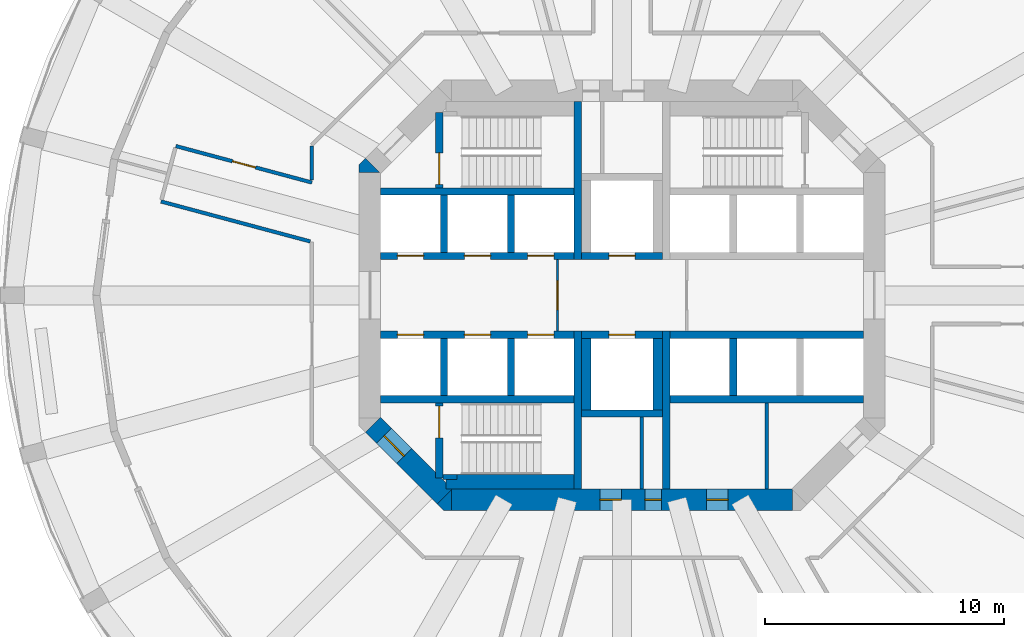
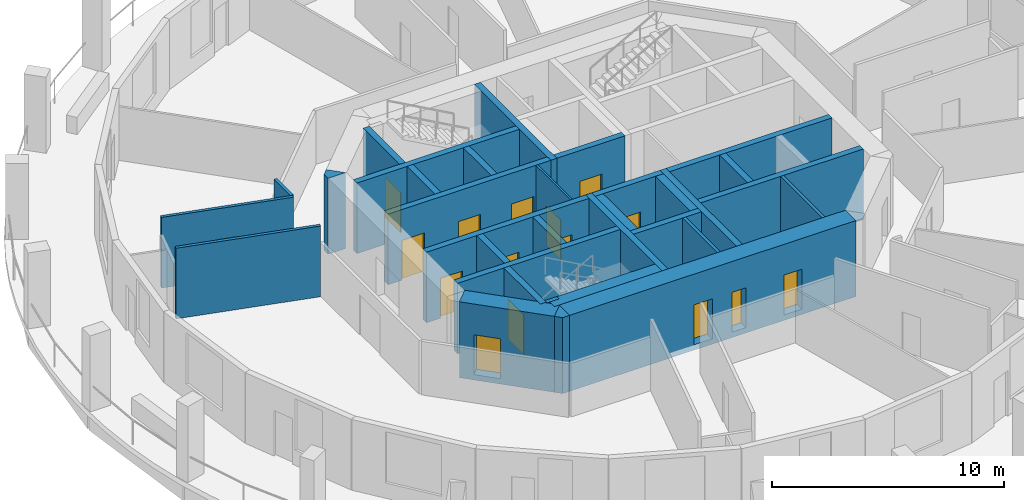
# One storey, part 3 of 8: 33 walls, 16 doors, 16 openings.
"""IFC4 building model written with IfcOpenShell, lengths in metres."""

from ifc_helpers import new_model, si_unit, direction, frame, frame_2d, origin, place, context, subcontext, project, spatial, polyline, rectangle, outline, extrude, material, layer, layer_set, type_object, element, fill, save


model = new_model("IFC4")

# Units and contexts
model_context = context("Model", 3, precision=1e-05, world=origin(), true_north=direction((0.0, 1.0)))
body_context = subcontext(model_context, "Body", "Model", "MODEL_VIEW")
ifc_project = project(units=[si_unit("LENGTHUNIT", "METRE"), si_unit("AREAUNIT", "SQUARE_METRE"), si_unit("VOLUMEUNIT", "CUBIC_METRE"), si_unit("PLANEANGLEUNIT", "RADIAN"), si_unit("MASSUNIT", "GRAM", prefix="KILO")], contexts=[model_context])

# Site, building, storey
site_placement = place(None, origin())
site = spatial("IfcSite", under=ifc_project, at=site_placement, CompositionType="ELEMENT")
building_placement = place(site_placement, origin())
building = spatial("IfcBuilding", under=site, at=building_placement, Name="Torre Triforio", CompositionType="ELEMENT")
storey_placement = place(building_placement, frame((0.0, 0.0, 90.60009765625)))
storey = spatial("IfcBuildingStorey", under=building, at=storey_placement, Name="L19", CompositionType="ELEMENT", Elevation=90.60009765625)

# Walls
ifc_material_1 = material(Name="Concrete C60", Category="concrete")
ifc_layer_1 = layer(ifc_material_1, 0.300048828125)
ifc_layer_set_1 = layer_set([ifc_layer_1], Name="Concrete C60")
wall_type_1 = type_object("IfcWallType", Name="Core wall 300 mm C60 EI 120", PredefinedType="SHEAR", material=ifc_layer_set_1)
for number, where, z_axis, x_axis, name in (
    (1, (-1.85009765625, 1.5, 0.0), (0.0, 0.0, 1.0), (0.0, 1.0, 0.0), "Core wall"),
    (2, (-1.85009765625, -8.10009765625, 0.0), (0.0, 0.0, 1.0), (0.0, 1.0, 0.0), "Core wall"),
    (3, (1.85009765625, -8.10009765625, 0.0), (0.0, 0.0, 1.0), (0.0, 1.0, 0.0), "Core wall"),
):
    element("IfcWall", number, at=place(storey_placement, frame(where, z_axis=z_axis, x_axis=x_axis)), inside=storey, type_object=wall_type_1, Name=name, PredefinedType="SHEAR", context=body_context, shape_type="SweptSolid", body=[
        extrude(rectangle(XDim=6.60009765625, YDim=0.300048828125, at=frame_2d((3.300048828125, 0.0))), origin(), (0.0, 0.0, 1.0), 3.719970703125),
    ])

# Wall, openings, doors
ifc_layer_2 = layer(ifc_material_1, 0.89990234375)
ifc_layer_set_2 = layer_set([ifc_layer_2], Name="Concrete C60")
wall_type_2 = type_object("IfcWallType", Name="Core wall 900 mm C60 EI 120", PredefinedType="SHEAR", material=ifc_layer_set_2)
wall_1_placement = place(storey_placement, frame((-7.1298828125, -8.550048828125, -0.280029296875), z_axis=(0.0, 0.0, 1.0), x_axis=(1.0, 0.0, 0.0)))
wall_1 = element("IfcWall", 4, at=wall_1_placement, inside=storey, type_object=wall_type_2, Name="Core wall", PredefinedType="SHEAR", context=body_context, shape_type="SweptSolid", body=[
    extrude(rectangle(XDim=14.259765625, YDim=0.89990234375, at=frame_2d((7.1298828125, 0.0))), origin(), (0.0, 0.0, 1.0), 4.0),
])
opening_1_placement = place(wall_1_placement, frame((8.080078125, 0.0, 0.280029296875)))
opening_1 = element("IfcOpeningElement", 5, at=opening_1_placement, cuts=wall_1, Name="Opening RISER-S", PredefinedType="OPENING", context=body_context, shape_type="SweptSolid", body=[
    extrude(rectangle(XDim=0.699951171875, YDim=2.10009765625, at=frame_2d((0.35009765625, 1.050048828125))), frame((0.0, 0.4599609375, 0.0), z_axis=(0.0, -1.0, 0.0), x_axis=(1.0, 0.0, 0.0)), (0.0, 0.0, 1.0), 0.919921875),
])
opening_2_placement = place(wall_1_placement, frame((6.205078125, 0.0, 0.280029296875)))
opening_2 = element("IfcOpeningElement", 6, at=opening_2_placement, cuts=wall_1, Name="Opening SW-01B", PredefinedType="OPENING", context=body_context, shape_type="SweptSolid", body=[
    extrude(rectangle(XDim=0.89990234375, YDim=2.10009765625, at=frame_2d((0.449951171875, 1.050048828125))), frame((0.0, 0.4599609375, 0.0), z_axis=(0.0, -1.0, 0.0), x_axis=(1.0, 0.0, 0.0)), (0.0, 0.0, 1.0), 0.919921875),
])
opening_3_placement = place(wall_1_placement, frame((10.66748046875, 0.0, 0.280029296875)))
opening_3 = element("IfcOpeningElement", 7, at=opening_3_placement, cuts=wall_1, Name="Opening SE-01A", PredefinedType="OPENING", context=body_context, shape_type="SweptSolid", body=[
    extrude(rectangle(XDim=0.89990234375, YDim=2.10009765625, at=frame_2d((0.449951171875, 1.050048828125))), frame((0.0, 0.4599609375, 0.0), z_axis=(0.0, -1.0, 0.0), x_axis=(1.0, 0.0, 0.0)), (0.0, 0.0, 1.0), 0.919921875),
])
ifc_material_2 = material(Name="Hollow metal fire door leaf")
door_type_1 = type_object("IfcDoorType", Name="Riser door 700 x 2100 EI 60", OperationType="NOTDEFINED", PredefinedType="DOOR", material=ifc_material_2)
door_1_placement = place(opening_1_placement, origin())
door_1 = element("IfcDoor", 8, at=door_1_placement, inside=storey, type_object=door_type_1, Name="Core door RISER-S", OperationType="SINGLE_SWING_RIGHT", OverallHeight=2.10009765625, OverallWidth=0.699951171875, PredefinedType="DOOR", context=body_context, shape_type="SweptSolid", body=[
    extrude(rectangle(XDim=0.699951171875, YDim=2.10009765625, at=frame_2d((0.35009765625, 1.050048828125))), frame((0.0, 0.02490234375, 0.0), z_axis=(0.0, -1.0, 0.0), x_axis=(1.0, 0.0, 0.0)), (0.0, 0.0, 1.0), 0.050048828125),
])
fill(opening_1, door_1)
door_type_2 = type_object("IfcDoorType", Name="Room door 900 x 2100 EI 60", OperationType="NOTDEFINED", PredefinedType="DOOR", material=ifc_material_2)
door_2_placement = place(opening_2_placement, origin())
door_2 = element("IfcDoor", 9, at=door_2_placement, inside=storey, type_object=door_type_2, Name="Core door SW-01", OperationType="SINGLE_SWING_LEFT", OverallHeight=2.10009765625, OverallWidth=0.89990234375, PredefinedType="DOOR", context=body_context, shape_type="SweptSolid", body=[
    extrude(rectangle(XDim=0.89990234375, YDim=2.10009765625, at=frame_2d((0.449951171875, 1.050048828125))), frame((0.0, 0.02490234375, 0.0), z_axis=(0.0, -1.0, 0.0), x_axis=(1.0, 0.0, 0.0)), (0.0, 0.0, 1.0), 0.050048828125),
])
fill(opening_2, door_2)
door_3_placement = place(opening_3_placement, origin())
door_3 = element("IfcDoor", 10, at=door_3_placement, inside=storey, type_object=door_type_2, Name="Core door SE-01", OperationType="SINGLE_SWING_LEFT", OverallHeight=2.10009765625, OverallWidth=0.89990234375, PredefinedType="DOOR", context=body_context, shape_type="SweptSolid", body=[
    extrude(rectangle(XDim=0.89990234375, YDim=2.10009765625, at=frame_2d((0.449951171875, 1.050048828125))), frame((0.0, 0.02490234375, 0.0), z_axis=(0.0, -1.0, 0.0), x_axis=(1.0, 0.0, 0.0)), (0.0, 0.0, 1.0), 0.050048828125),
])
fill(opening_3, door_3)

# Wall, opening, door
wall_2_placement = place(storey_placement, frame((-7.418212890625, -8.418212890625, -0.280029296875), z_axis=(0.0, 0.0, 1.0), x_axis=(-0.707106781187, 0.707106781187, 0.0)))
wall_2 = element("IfcWall", 11, at=wall_2_placement, inside=storey, type_object=wall_type_2, Name="Core wall", PredefinedType="SHEAR", context=body_context, shape_type="SweptSolid", body=[
    extrude(rectangle(XDim=4.24267578125, YDim=0.89990234375, at=frame_2d((2.121337890625, 0.0))), origin(), (0.0, 0.0, 1.0), 4.0),
])
opening_4_placement = place(wall_2_placement, frame((2.392578125, 0.0, 0.280029296875)))
opening_4 = element("IfcOpeningElement", 12, at=opening_4_placement, cuts=wall_2, Name="Opening ST3-EXIT", PredefinedType="OPENING", context=body_context, shape_type="SweptSolid", body=[
    extrude(rectangle(XDim=1.199951171875, YDim=2.10009765625, at=frame_2d((0.60009765625, 1.050048828125))), frame((0.0, 0.4599609375, 0.0), z_axis=(0.0, -1.0, 0.0), x_axis=(1.0, 0.0, 0.0)), (0.0, 0.0, 1.0), 0.919921875),
])
door_type_3 = type_object("IfcDoorType", Name="Stair lobby door 1200 x 2100 EI 60", OperationType="NOTDEFINED", PredefinedType="DOOR", material=ifc_material_2)
door_4_placement = place(opening_4_placement, origin())
door_4 = element("IfcDoor", 13, at=door_4_placement, inside=storey, type_object=door_type_3, Name="Core door ST3-EXIT", OperationType="SINGLE_SWING_RIGHT", OverallHeight=2.10009765625, OverallWidth=1.199951171875, PredefinedType="DOOR", context=body_context, shape_type="SweptSolid", body=[
    extrude(rectangle(XDim=1.199951171875, YDim=2.10009765625, at=frame_2d((0.60009765625, 1.050048828125))), frame((0.0, 0.02490234375, 0.0), z_axis=(0.0, -1.0, 0.0), x_axis=(1.0, 0.0, 0.0)), (0.0, 0.0, 1.0), 0.050048828125),
])
fill(opening_4, door_4)

# Walls
wall_3_placement = place(storey_placement, frame((0.0, 0.0, -0.280029296875)))
element("IfcWall", 14, at=wall_3_placement, inside=storey, type_object=wall_type_2, Name="Core wall", PredefinedType="SHEAR", context=body_context, shape_type="SweptSolid", body=[
    extrude(outline(polyline([(-7.472900390625, -9.0), (-7.736328125, -8.736328125), (-7.1298828125, -8.1298828125), (-7.1298828125, -9.0), (-7.472900390625, -9.0)])), origin(), (0.0, 0.0, 1.0), 4.0),
])
wall_4_placement = place(storey_placement, frame((0.0, 0.0, -0.280029296875)))
element("IfcWall", 15, at=wall_4_placement, inside=storey, type_object=wall_type_2, Name="Core wall", PredefinedType="SHEAR", context=body_context, shape_type="SweptSolid", body=[
    extrude(outline(polyline([(-10.736328125, 5.736328125), (-10.1298828125, 5.1298828125), (-11.0, 5.1298828125), (-11.0, 5.472900390625), (-10.736328125, 5.736328125)])), origin(), (0.0, 0.0, 1.0), 4.0),
])
ifc_material_3 = material(Name="Plasterboard on metal studs")
ifc_layer_3 = layer(ifc_material_3, 0.14990234375)
ifc_layer_set_3 = layer_set([ifc_layer_3], Name="Plasterboard on metal studs")
wall_type_3 = type_object("IfcWallType", Name="Corridor and tenancy wall 150 mm EI 60", PredefinedType="PARTITIONING", material=ifc_layer_set_3)
wall_5_placement = place(storey_placement, frame((-13.044921875, 2.253173828125, 0.0), z_axis=(0.0, 0.0, 1.0), x_axis=(-0.965934061797, 0.258788307811, 0.0)))
element("IfcWall", 16, at=wall_5_placement, inside=storey, type_object=wall_type_3, Name="Partition 15", PredefinedType="PARTITIONING", context=body_context, shape_type="SweptSolid", body=[
    extrude(rectangle(XDim=6.465087890625, YDim=0.14990234375, at=frame_2d((3.232421875, 0.0))), origin(), (0.0, 0.0, 1.0), 3.719970703125),
])

# Wall, opening, door
wall_6_placement = place(storey_placement, frame((-18.668701171875, 6.24462890625, 0.0), z_axis=(0.0, 0.0, 1.0), x_axis=(0.965924201797, -0.258825107715, 0.0)))
wall_6 = element("IfcWall", 17, at=wall_6_placement, inside=storey, type_object=wall_type_3, Name="Partition 17", PredefinedType="PARTITIONING", context=body_context, shape_type="SweptSolid", body=[
    extrude(rectangle(XDim=5.89453125, YDim=0.14990234375, at=frame_2d((2.947265625, 0.0))), origin(), (0.0, 0.0, 1.0), 3.719970703125),
])
opening_5_placement = place(wall_6_placement, frame((2.447265625, 0.0, 0.0)))
opening_5 = element("IfcOpeningElement", 18, at=opening_5_placement, cuts=wall_6, Name="Opening N6-05", PredefinedType="OPENING", context=body_context, shape_type="SweptSolid", body=[
    extrude(rectangle(XDim=1.0, YDim=2.10009765625, at=frame_2d((0.5, 1.050048828125))), frame((0.0, 0.0849609375, 0.0), z_axis=(0.0, -1.0, 0.0), x_axis=(1.0, 0.0, 0.0)), (0.0, 0.0, 1.0), 0.169921875),
])
ifc_material_4 = material(Name="Timber", Category="wood")
door_type_4 = type_object("IfcDoorType", Name="Door 1000 x 2100 single leaf EI 30", OperationType="NOTDEFINED", PredefinedType="DOOR", material=ifc_material_4)
door_5_placement = place(opening_5_placement, origin())
door_5 = element("IfcDoor", 19, at=door_5_placement, inside=storey, type_object=door_type_4, Name="Door N6-05", OperationType="SINGLE_SWING_RIGHT", OverallHeight=2.10009765625, OverallWidth=1.0, PredefinedType="DOOR", context=body_context, shape_type="SweptSolid", body=[
    extrude(rectangle(XDim=1.0, YDim=2.10009765625, at=frame_2d((0.5, 1.050048828125))), frame((0.0, 0.02490234375, 0.0), z_axis=(0.0, -1.0, 0.0), x_axis=(1.0, 0.0, 0.0)), (0.0, 0.0, 1.0), 0.050048828125),
])
fill(opening_5, door_5)

# Wall
wall_7_placement = place(storey_placement, frame((-12.97509765625, 4.81640625, 0.0), z_axis=(0.0, 0.0, 1.0), x_axis=(0.0, 1.0, 0.0)))
element("IfcWall", 20, at=wall_7_placement, inside=storey, type_object=wall_type_3, Name="Partition 18", PredefinedType="PARTITIONING", context=body_context, shape_type="SweptSolid", body=[
    extrude(rectangle(XDim=1.421875, YDim=0.14990234375, at=frame_2d((0.7109375, 0.0))), origin(), (0.0, 0.0, 1.0), 3.719970703125),
])

# Wall, opening, door
ifc_material_5 = material(Name="Block and board partition")
ifc_layer_4 = layer(ifc_material_5, 0.10009765625)
ifc_layer_set_4 = layer_set([ifc_layer_4], Name="Block and board partition")
wall_type_4 = type_object("IfcWallType", Name="Partition 100 mm EI 120", PredefinedType="PARTITIONING", material=ifc_layer_set_4)
wall_8_placement = place(storey_placement, frame((-2.699951171875, -1.5, 0.0), z_axis=(0.0, 0.0, 1.0), x_axis=(0.0, 1.0, 0.0)))
wall_8 = element("IfcWall", 21, at=wall_8_placement, inside=storey, type_object=wall_type_4, Name="Partition", PredefinedType="PARTITIONING", context=body_context, shape_type="SweptSolid", body=[
    extrude(rectangle(XDim=3.0, YDim=0.10009765625, at=frame_2d((1.5, 0.0))), origin(), (0.0, 0.0, 1.0), 3.719970703125),
])
opening_6_placement = place(wall_8_placement, frame((0.89990234375, 0.0, 0.0)))
opening_6 = element("IfcOpeningElement", 22, at=opening_6_placement, cuts=wall_8, Name="Opening FF-W", PredefinedType="OPENING", context=body_context, shape_type="SweptSolid", body=[
    extrude(rectangle(XDim=1.199951171875, YDim=2.10009765625, at=frame_2d((0.60009765625, 1.050048828125))), frame((0.0, 0.06005859375, 0.0), z_axis=(0.0, -1.0, 0.0), x_axis=(1.0, 0.0, 0.0)), (0.0, 0.0, 1.0), 0.1201171875),
])
door_type_5 = type_object("IfcDoorType", Name="Fire-fighting lobby door 1200 x 2100 EI 60", OperationType="NOTDEFINED", PredefinedType="DOOR", material=ifc_material_2)
door_6_placement = place(opening_6_placement, origin())
door_6 = element("IfcDoor", 23, at=door_6_placement, inside=storey, type_object=door_type_5, Name="Core door FF-W", OperationType="SINGLE_SWING_LEFT", OverallHeight=2.10009765625, OverallWidth=1.199951171875, PredefinedType="DOOR", context=body_context, shape_type="SweptSolid", body=[
    extrude(rectangle(XDim=1.199951171875, YDim=2.10009765625, at=frame_2d((0.60009765625, 1.050048828125))), frame((0.0, 0.02490234375, 0.0), z_axis=(0.0, -1.0, 0.0), x_axis=(1.0, 0.0, 0.0)), (0.0, 0.0, 1.0), 0.050048828125),
])
fill(opening_6, door_6)

# Walls
ifc_layer_5 = layer(ifc_material_5, 0.14990234375)
ifc_layer_set_5 = layer_set([ifc_layer_5], Name="Block and board partition")
wall_type_5 = type_object("IfcWallType", Name="Partition 150 mm", PredefinedType="PARTITIONING", material=ifc_layer_set_5)
wall_9_placement = place(storey_placement, frame((6.050048828125, -8.10009765625, 0.0), z_axis=(0.0, 0.0, 1.0), x_axis=(0.0, 1.0, 0.0)))
element("IfcWall", 24, at=wall_9_placement, inside=storey, type_object=wall_type_5, Name="Partition", PredefinedType="PARTITIONING", context=body_context, shape_type="SweptSolid", body=[
    extrude(rectangle(XDim=3.60009765625, YDim=0.14990234375, at=frame_2d((1.800048828125, 0.0))), origin(), (0.0, 0.0, 1.0), 3.719970703125),
])
ifc_layer_6 = layer(ifc_material_5, 0.14990234375)
ifc_layer_set_6 = layer_set([ifc_layer_6], Name="Block and board partition")
wall_type_6 = type_object("IfcWallType", Name="Partition 150 mm EI 120", PredefinedType="PARTITIONING", material=ifc_layer_set_6)
wall_10_placement = place(storey_placement, frame((0.824951171875, -8.10009765625, 0.0), z_axis=(0.0, 0.0, 1.0), x_axis=(0.0, 1.0, 0.0)))
element("IfcWall", 25, at=wall_10_placement, inside=storey, type_object=wall_type_6, Name="Partition", PredefinedType="PARTITIONING", context=body_context, shape_type="SweptSolid", body=[
    extrude(rectangle(XDim=3.0, YDim=0.14990234375, at=frame_2d((1.5, 0.0))), origin(), (0.0, 0.0, 1.0), 3.719970703125),
])
ifc_layer_7 = layer(ifc_material_1, 0.300048828125)
ifc_layer_set_7 = layer_set([ifc_layer_7], Name="Concrete C60")
wall_type_7 = type_object("IfcWallType", Name="Shaft wall 300 mm C60 EI 120", PredefinedType="SOLIDWALL", material=ifc_layer_set_7)
for number, where, z_axis, x_axis, name in (
    (26, (-10.10009765625, 4.35009765625, 0.0), (0.0, 0.0, 1.0), (1.0, 0.0, 0.0), "Shaft wall"),
    (27, (-10.10009765625, -4.35009765625, 0.0), (0.0, 0.0, 1.0), (1.0, 0.0, 0.0), "Shaft wall"),
    (28, (2.0, -4.35009765625, 0.0), (0.0, 0.0, 1.0), (1.0, 0.0, 0.0), "Shaft wall"),
):
    element("IfcWall", number, at=place(storey_placement, frame(where, z_axis=z_axis, x_axis=x_axis)), inside=storey, type_object=wall_type_7, Name=name, PredefinedType="SOLIDWALL", context=body_context, shape_type="SweptSolid", body=[
        extrude(rectangle(XDim=8.10009765625, YDim=0.300048828125, at=frame_2d((4.050048828125, 0.0))), origin(), (0.0, 0.0, 1.0), 3.719970703125),
    ])

# Wall, openings, doors
wall_11_placement = place(storey_placement, frame((-10.10009765625, 1.64990234375, 0.0), z_axis=(0.0, 0.0, 1.0), x_axis=(1.0, 0.0, 0.0)))
wall_11 = element("IfcWall", 29, at=wall_11_placement, inside=storey, type_object=wall_type_7, Name="Shaft wall", PredefinedType="SOLIDWALL", context=body_context, shape_type="SweptSolid", body=[
    extrude(rectangle(XDim=8.10009765625, YDim=0.300048828125, at=frame_2d((4.050048828125, 0.0))), origin(), (0.0, 0.0, 1.0), 3.719970703125),
])
opening_7_placement = place(wall_11_placement, frame((0.699951171875, 0.0, 0.0)))
opening_7 = element("IfcOpeningElement", 30, at=opening_7_placement, cuts=wall_11, Name="Opening LD", PredefinedType="OPENING", context=body_context, shape_type="SweptSolid", body=[
    extrude(rectangle(XDim=1.10009765625, YDim=2.10009765625, at=frame_2d((0.550048828125, 1.050048828125))), frame((0.0, 0.159912109375, 0.0), z_axis=(0.0, -1.0, 0.0), x_axis=(1.0, 0.0, 0.0)), (0.0, 0.0, 1.0), 0.320068359375),
])
opening_8_placement = place(wall_11_placement, frame((3.5, 0.0, 0.0)))
opening_8 = element("IfcOpeningElement", 31, at=opening_8_placement, cuts=wall_11, Name="Opening LD", PredefinedType="OPENING", context=body_context, shape_type="SweptSolid", body=[
    extrude(rectangle(XDim=1.10009765625, YDim=2.10009765625, at=frame_2d((0.550048828125, 1.050048828125))), frame((0.0, 0.159912109375, 0.0), z_axis=(0.0, -1.0, 0.0), x_axis=(1.0, 0.0, 0.0)), (0.0, 0.0, 1.0), 0.320068359375),
])
opening_9_placement = place(wall_11_placement, frame((6.14990234375, 0.0, 0.0)))
opening_9 = element("IfcOpeningElement", 32, at=opening_9_placement, cuts=wall_11, Name="Opening LD", PredefinedType="OPENING", context=body_context, shape_type="SweptSolid", body=[
    extrude(rectangle(XDim=1.10009765625, YDim=2.10009765625, at=frame_2d((0.550048828125, 1.050048828125))), frame((0.0, 0.159912109375, 0.0), z_axis=(0.0, -1.0, 0.0), x_axis=(1.0, 0.0, 0.0)), (0.0, 0.0, 1.0), 0.320068359375),
])
door_type_6 = type_object("IfcDoorType", Name="Landing door 1100 x 2100 EI 60", OperationType="DOUBLE_DOOR_SLIDING", PredefinedType="DOOR", material=ifc_material_2)
door_7_placement = place(opening_7_placement, origin())
door_7 = element("IfcDoor", 33, at=door_7_placement, inside=storey, type_object=door_type_6, Name="Landing door LR1", OperationType="DOUBLE_DOOR_SLIDING", OverallHeight=2.10009765625, OverallWidth=1.10009765625, PredefinedType="DOOR", context=body_context, shape_type="SweptSolid", body=[
    extrude(rectangle(XDim=1.10009765625, YDim=2.10009765625, at=frame_2d((0.550048828125, 1.050048828125))), frame((0.0, 0.02490234375, 0.0), z_axis=(0.0, -1.0, 0.0), x_axis=(1.0, 0.0, 0.0)), (0.0, 0.0, 1.0), 0.050048828125),
])
fill(opening_7, door_7)
door_8_placement = place(opening_8_placement, origin())
door_8 = element("IfcDoor", 34, at=door_8_placement, inside=storey, type_object=door_type_6, Name="Landing door LR2", OperationType="DOUBLE_DOOR_SLIDING", OverallHeight=2.10009765625, OverallWidth=1.10009765625, PredefinedType="DOOR", context=body_context, shape_type="SweptSolid", body=[
    extrude(rectangle(XDim=1.10009765625, YDim=2.10009765625, at=frame_2d((0.550048828125, 1.050048828125))), frame((0.0, 0.02490234375, 0.0), z_axis=(0.0, -1.0, 0.0), x_axis=(1.0, 0.0, 0.0)), (0.0, 0.0, 1.0), 0.050048828125),
])
fill(opening_8, door_8)
door_9_placement = place(opening_9_placement, origin())
door_9 = element("IfcDoor", 35, at=door_9_placement, inside=storey, type_object=door_type_6, Name="Landing door LR3", OperationType="DOUBLE_DOOR_SLIDING", OverallHeight=2.10009765625, OverallWidth=1.10009765625, PredefinedType="DOOR", context=body_context, shape_type="SweptSolid", body=[
    extrude(rectangle(XDim=1.10009765625, YDim=2.10009765625, at=frame_2d((0.550048828125, 1.050048828125))), frame((0.0, 0.02490234375, 0.0), z_axis=(0.0, -1.0, 0.0), x_axis=(1.0, 0.0, 0.0)), (0.0, 0.0, 1.0), 0.050048828125),
])
fill(opening_9, door_9)

wall_12_placement = place(storey_placement, frame((-10.10009765625, -1.64990234375, 0.0), z_axis=(0.0, 0.0, 1.0), x_axis=(1.0, 0.0, 0.0)))
wall_12 = element("IfcWall", 36, at=wall_12_placement, inside=storey, type_object=wall_type_7, Name="Shaft wall", PredefinedType="SOLIDWALL", context=body_context, shape_type="SweptSolid", body=[
    extrude(rectangle(XDim=8.10009765625, YDim=0.300048828125, at=frame_2d((4.050048828125, 0.0))), origin(), (0.0, 0.0, 1.0), 3.719970703125),
])
opening_10_placement = place(wall_12_placement, frame((0.699951171875, 0.0, 0.0)))
opening_10 = element("IfcOpeningElement", 37, at=opening_10_placement, cuts=wall_12, Name="Opening LD", PredefinedType="OPENING", context=body_context, shape_type="SweptSolid", body=[
    extrude(rectangle(XDim=1.10009765625, YDim=2.10009765625, at=frame_2d((0.550048828125, 1.050048828125))), frame((0.0, 0.159912109375, 0.0), z_axis=(0.0, -1.0, 0.0), x_axis=(1.0, 0.0, 0.0)), (0.0, 0.0, 1.0), 0.320068359375),
])
opening_11_placement = place(wall_12_placement, frame((3.5, 0.0, 0.0)))
opening_11 = element("IfcOpeningElement", 38, at=opening_11_placement, cuts=wall_12, Name="Opening LD", PredefinedType="OPENING", context=body_context, shape_type="SweptSolid", body=[
    extrude(rectangle(XDim=1.10009765625, YDim=2.10009765625, at=frame_2d((0.550048828125, 1.050048828125))), frame((0.0, 0.159912109375, 0.0), z_axis=(0.0, -1.0, 0.0), x_axis=(1.0, 0.0, 0.0)), (0.0, 0.0, 1.0), 0.320068359375),
])
opening_12_placement = place(wall_12_placement, frame((6.14990234375, 0.0, 0.0)))
opening_12 = element("IfcOpeningElement", 39, at=opening_12_placement, cuts=wall_12, Name="Opening LD", PredefinedType="OPENING", context=body_context, shape_type="SweptSolid", body=[
    extrude(rectangle(XDim=1.10009765625, YDim=2.10009765625, at=frame_2d((0.550048828125, 1.050048828125))), frame((0.0, 0.159912109375, 0.0), z_axis=(0.0, -1.0, 0.0), x_axis=(1.0, 0.0, 0.0)), (0.0, 0.0, 1.0), 0.320068359375),
])
door_10_placement = place(opening_10_placement, origin())
door_10 = element("IfcDoor", 40, at=door_10_placement, inside=storey, type_object=door_type_6, Name="Landing door LR4", OperationType="DOUBLE_DOOR_SLIDING", OverallHeight=2.10009765625, OverallWidth=1.10009765625, PredefinedType="DOOR", context=body_context, shape_type="SweptSolid", body=[
    extrude(rectangle(XDim=1.10009765625, YDim=2.10009765625, at=frame_2d((0.550048828125, 1.050048828125))), frame((0.0, 0.02490234375, 0.0), z_axis=(0.0, -1.0, 0.0), x_axis=(1.0, 0.0, 0.0)), (0.0, 0.0, 1.0), 0.050048828125),
])
fill(opening_10, door_10)
door_11_placement = place(opening_11_placement, origin())
door_11 = element("IfcDoor", 41, at=door_11_placement, inside=storey, type_object=door_type_6, Name="Landing door LR5", OperationType="DOUBLE_DOOR_SLIDING", OverallHeight=2.10009765625, OverallWidth=1.10009765625, PredefinedType="DOOR", context=body_context, shape_type="SweptSolid", body=[
    extrude(rectangle(XDim=1.10009765625, YDim=2.10009765625, at=frame_2d((0.550048828125, 1.050048828125))), frame((0.0, 0.02490234375, 0.0), z_axis=(0.0, -1.0, 0.0), x_axis=(1.0, 0.0, 0.0)), (0.0, 0.0, 1.0), 0.050048828125),
])
fill(opening_11, door_11)
door_12_placement = place(opening_12_placement, origin())
door_12 = element("IfcDoor", 42, at=door_12_placement, inside=storey, type_object=door_type_6, Name="Landing door LR6", OperationType="DOUBLE_DOOR_SLIDING", OverallHeight=2.10009765625, OverallWidth=1.10009765625, PredefinedType="DOOR", context=body_context, shape_type="SweptSolid", body=[
    extrude(rectangle(XDim=1.10009765625, YDim=2.10009765625, at=frame_2d((0.550048828125, 1.050048828125))), frame((0.0, 0.02490234375, 0.0), z_axis=(0.0, -1.0, 0.0), x_axis=(1.0, 0.0, 0.0)), (0.0, 0.0, 1.0), 0.050048828125),
])
fill(opening_12, door_12)

# Walls
wall_13_placement = place(storey_placement, frame((2.0, -1.64990234375, 0.0), z_axis=(0.0, 0.0, 1.0), x_axis=(1.0, 0.0, 0.0)))
element("IfcWall", 43, at=wall_13_placement, inside=storey, type_object=wall_type_7, Name="Shaft wall", PredefinedType="SOLIDWALL", context=body_context, shape_type="SweptSolid", body=[
    extrude(rectangle(XDim=8.10009765625, YDim=0.300048828125, at=frame_2d((4.050048828125, 0.0))), origin(), (0.0, 0.0, 1.0), 3.719970703125),
])
for number, where, z_axis, x_axis, name in (
    (44, (-7.449951171875, 1.800048828125, 0.0), (0.0, 0.0, 1.0), (0.0, 1.0, 0.0), "Shaft wall"),
    (45, (-7.449951171875, -4.199951171875, 0.0), (0.0, 0.0, 1.0), (0.0, 1.0, 0.0), "Shaft wall"),
    (46, (-4.64990234375, 1.800048828125, 0.0), (0.0, 0.0, 1.0), (0.0, 1.0, 0.0), "Shaft wall"),
    (47, (-4.64990234375, -4.199951171875, 0.0), (0.0, 0.0, 1.0), (0.0, 1.0, 0.0), "Shaft wall"),
    (48, (4.64990234375, -4.199951171875, 0.0), (0.0, 0.0, 1.0), (0.0, 1.0, 0.0), "Shaft wall"),
):
    element("IfcWall", number, at=place(storey_placement, frame(where, z_axis=z_axis, x_axis=x_axis)), inside=storey, type_object=wall_type_7, Name=name, PredefinedType="SOLIDWALL", context=body_context, shape_type="SweptSolid", body=[
        extrude(rectangle(XDim=2.39990234375, YDim=0.300048828125, at=frame_2d((1.199951171875, 0.0))), origin(), (0.0, 0.0, 1.0), 3.719970703125),
    ])

# Wall, opening, door
wall_14_placement = place(storey_placement, frame((-1.699951171875, 1.64990234375, 0.0), z_axis=(0.0, 0.0, 1.0), x_axis=(1.0, 0.0, 0.0)))
wall_14 = element("IfcWall", 49, at=wall_14_placement, inside=storey, type_object=wall_type_7, Name="Shaft wall", PredefinedType="SOLIDWALL", context=body_context, shape_type="SweptSolid", body=[
    extrude(rectangle(XDim=3.39990234375, YDim=0.300048828125, at=frame_2d((1.699951171875, 0.0))), origin(), (0.0, 0.0, 1.0), 3.719970703125),
])
opening_13_placement = place(wall_14_placement, frame((1.14990234375, 0.0, 0.0)))
opening_13 = element("IfcOpeningElement", 50, at=opening_13_placement, cuts=wall_14, Name="Opening LD", PredefinedType="OPENING", context=body_context, shape_type="SweptSolid", body=[
    extrude(rectangle(XDim=1.10009765625, YDim=2.10009765625, at=frame_2d((0.550048828125, 1.050048828125))), frame((0.0, 0.159912109375, 0.0), z_axis=(0.0, -1.0, 0.0), x_axis=(1.0, 0.0, 0.0)), (0.0, 0.0, 1.0), 0.320068359375),
])
door_13_placement = place(opening_13_placement, origin())
door_13 = element("IfcDoor", 51, at=door_13_placement, inside=storey, type_object=door_type_6, Name="Landing door FFL1", OperationType="DOUBLE_DOOR_SLIDING", OverallHeight=2.10009765625, OverallWidth=1.10009765625, PredefinedType="DOOR", context=body_context, shape_type="SweptSolid", body=[
    extrude(rectangle(XDim=1.10009765625, YDim=2.10009765625, at=frame_2d((0.550048828125, 1.050048828125))), frame((0.0, 0.02490234375, 0.0), z_axis=(0.0, -1.0, 0.0), x_axis=(1.0, 0.0, 0.0)), (0.0, 0.0, 1.0), 0.050048828125),
])
fill(opening_13, door_13)

wall_15_placement = place(storey_placement, frame((-1.699951171875, -1.64990234375, 0.0), z_axis=(0.0, 0.0, 1.0), x_axis=(1.0, 0.0, 0.0)))
wall_15 = element("IfcWall", 52, at=wall_15_placement, inside=storey, type_object=wall_type_7, Name="Shaft wall", PredefinedType="SOLIDWALL", context=body_context, shape_type="SweptSolid", body=[
    extrude(rectangle(XDim=3.39990234375, YDim=0.300048828125, at=frame_2d((1.699951171875, 0.0))), origin(), (0.0, 0.0, 1.0), 3.719970703125),
])
opening_14_placement = place(wall_15_placement, frame((1.14990234375, 0.0, 0.0)))
opening_14 = element("IfcOpeningElement", 53, at=opening_14_placement, cuts=wall_15, Name="Opening LD", PredefinedType="OPENING", context=body_context, shape_type="SweptSolid", body=[
    extrude(rectangle(XDim=1.10009765625, YDim=2.10009765625, at=frame_2d((0.550048828125, 1.050048828125))), frame((0.0, 0.159912109375, 0.0), z_axis=(0.0, -1.0, 0.0), x_axis=(1.0, 0.0, 0.0)), (0.0, 0.0, 1.0), 0.320068359375),
])
door_14_placement = place(opening_14_placement, origin())
door_14 = element("IfcDoor", 54, at=door_14_placement, inside=storey, type_object=door_type_6, Name="Landing door FFL2", OperationType="DOUBLE_DOOR_SLIDING", OverallHeight=2.10009765625, OverallWidth=1.10009765625, PredefinedType="DOOR", context=body_context, shape_type="SweptSolid", body=[
    extrude(rectangle(XDim=1.10009765625, YDim=2.10009765625, at=frame_2d((0.550048828125, 1.050048828125))), frame((0.0, 0.02490234375, 0.0), z_axis=(0.0, -1.0, 0.0), x_axis=(1.0, 0.0, 0.0)), (0.0, 0.0, 1.0), 0.050048828125),
])
fill(opening_14, door_14)

# Walls
wall_16_placement = place(storey_placement, frame((-1.699951171875, -4.949951171875, 0.0), z_axis=(0.0, 0.0, 1.0), x_axis=(1.0, 0.0, 0.0)))
element("IfcWall", 55, at=wall_16_placement, inside=storey, type_object=wall_type_7, Name="Shaft wall", PredefinedType="SOLIDWALL", context=body_context, shape_type="SweptSolid", body=[
    extrude(rectangle(XDim=3.39990234375, YDim=0.300048828125, at=frame_2d((1.699951171875, 0.0))), origin(), (0.0, 0.0, 1.0), 3.719970703125),
])
ifc_layer_8 = layer(ifc_material_1, 0.39990234375)
ifc_layer_set_8 = layer_set([ifc_layer_8], Name="Concrete C60")
wall_type_8 = type_object("IfcWallType", Name="Shaft wall 400 mm C60 EI 120", PredefinedType="SOLIDWALL", material=ifc_layer_set_8)
for number, where, z_axis, x_axis, name in (
    (56, (-1.5, -4.800048828125, 0.0), (0.0, 0.0, 1.0), (0.0, 1.0, 0.0), "Shaft wall"),
    (57, (1.5, -4.800048828125, 0.0), (0.0, 0.0, 1.0), (0.0, 1.0, 0.0), "Shaft wall"),
):
    element("IfcWall", number, at=place(storey_placement, frame(where, z_axis=z_axis, x_axis=x_axis)), inside=storey, type_object=wall_type_8, Name=name, PredefinedType="SOLIDWALL", context=body_context, shape_type="SweptSolid", body=[
        extrude(rectangle(XDim=3.0, YDim=0.39990234375, at=frame_2d((1.5, 0.0))), origin(), (0.0, 0.0, 1.0), 3.719970703125),
    ])
ifc_layer_9 = layer(ifc_material_1, 0.199951171875)
ifc_layer_set_9 = layer_set([ifc_layer_9], Name="Concrete C60")
wall_type_9 = type_object("IfcWallType", Name="Stair wall 200 mm C60 EI 120", PredefinedType="SHEAR", material=ifc_layer_set_9)
wall_17_placement = place(storey_placement, frame((-7.5, -7.60009765625, 0.0), z_axis=(0.0, 0.0, 1.0), x_axis=(1.0, 0.0, 0.0)))
element("IfcWall", 58, at=wall_17_placement, inside=storey, type_object=wall_type_9, Name="Stair wall", PredefinedType="SHEAR", context=body_context, shape_type="SweptSolid", body=[
    extrude(rectangle(XDim=0.60009765625, YDim=0.199951171875, at=frame_2d((0.300048828125, 0.0))), origin(), (0.0, 0.0, 1.0), 3.719970703125),
])

# Wall, opening, door
ifc_layer_10 = layer(ifc_material_1, 0.300048828125)
ifc_layer_set_10 = layer_set([ifc_layer_10], Name="Concrete C60")
wall_type_10 = type_object("IfcWallType", Name="Stair wall 300 mm C60 EI 120", PredefinedType="SHEAR", material=ifc_layer_set_10)
wall_18_placement = place(storey_placement, frame((-7.64990234375, 4.5, 0.0), z_axis=(0.0, 0.0, 1.0), x_axis=(0.0, 1.0, 0.0)))
wall_18 = element("IfcWall", 59, at=wall_18_placement, inside=storey, type_object=wall_type_10, Name="Stair wall", PredefinedType="SHEAR", context=body_context, shape_type="SweptSolid", body=[
    extrude(rectangle(XDim=3.139892578125, YDim=0.300048828125, at=frame_2d((1.56982421875, 0.0))), origin(), (0.0, 0.0, 1.0), 3.719970703125),
])
opening_15_placement = place(wall_18_placement, frame((0.139892578125, 0.0, 0.0)))
opening_15 = element("IfcOpeningElement", 60, at=opening_15_placement, cuts=wall_18, Name="Opening ST1-STA", PredefinedType="OPENING", context=body_context, shape_type="SweptSolid", body=[
    extrude(rectangle(XDim=1.320068359375, YDim=2.10009765625, at=frame_2d((0.66015625, 1.050048828125))), frame((0.0, 0.159912109375, 0.0), z_axis=(0.0, -1.0, 0.0), x_axis=(1.0, 0.0, 0.0)), (0.0, 0.0, 1.0), 0.320068359375),
])
door_type_7 = type_object("IfcDoorType", Name="Stair door 1320 x 2100 EI 90", OperationType="DOUBLE_DOOR_SINGLE_SWING", PredefinedType="DOOR", material=ifc_material_2)
door_15_placement = place(opening_15_placement, origin())
door_15 = element("IfcDoor", 61, at=door_15_placement, inside=storey, type_object=door_type_7, Name="Core door ST1-ST", OperationType="DOUBLE_DOOR_SINGLE_SWING", OverallHeight=2.10009765625, OverallWidth=1.320068359375, PredefinedType="DOOR", context=body_context, shape_type="SweptSolid", body=[
    extrude(rectangle(XDim=1.320068359375, YDim=2.10009765625, at=frame_2d((0.66015625, 1.050048828125))), frame((0.0, 0.02490234375, 0.0), z_axis=(0.0, -1.0, 0.0), x_axis=(1.0, 0.0, 0.0)), (0.0, 0.0, 1.0), 0.050048828125),
])
fill(opening_15, door_15)

wall_19_placement = place(storey_placement, frame((-7.64990234375, -7.639892578125, 0.0), z_axis=(0.0, 0.0, 1.0), x_axis=(0.0, 1.0, 0.0)))
wall_19 = element("IfcWall", 62, at=wall_19_placement, inside=storey, type_object=wall_type_10, Name="Stair wall", PredefinedType="SHEAR", context=body_context, shape_type="SweptSolid", body=[
    extrude(rectangle(XDim=3.139892578125, YDim=0.300048828125, at=frame_2d((1.56982421875, 0.0))), origin(), (0.0, 0.0, 1.0), 3.719970703125),
])
opening_16_placement = place(wall_19_placement, frame((1.679931640625, 0.0, 0.0)))
opening_16 = element("IfcOpeningElement", 63, at=opening_16_placement, cuts=wall_19, Name="Opening ST3-STA", PredefinedType="OPENING", context=body_context, shape_type="SweptSolid", body=[
    extrude(rectangle(XDim=1.320068359375, YDim=2.10009765625, at=frame_2d((0.66015625, 1.050048828125))), frame((0.0, 0.159912109375, 0.0), z_axis=(0.0, -1.0, 0.0), x_axis=(1.0, 0.0, 0.0)), (0.0, 0.0, 1.0), 0.320068359375),
])
door_16_placement = place(opening_16_placement, origin())
door_16 = element("IfcDoor", 64, at=door_16_placement, inside=storey, type_object=door_type_7, Name="Core door ST3-ST", OperationType="DOUBLE_DOOR_SINGLE_SWING", OverallHeight=2.10009765625, OverallWidth=1.320068359375, PredefinedType="DOOR", context=body_context, shape_type="SweptSolid", body=[
    extrude(rectangle(XDim=1.320068359375, YDim=2.10009765625, at=frame_2d((0.66015625, 1.050048828125))), frame((0.0, 0.02490234375, 0.0), z_axis=(0.0, -1.0, 0.0), x_axis=(1.0, 0.0, 0.0)), (0.0, 0.0, 1.0), 0.050048828125),
])
fill(opening_16, door_16)

# Wall
ifc_layer_11 = layer(ifc_material_1, 0.60009765625)
ifc_layer_set_11 = layer_set([ifc_layer_11], Name="Concrete C60")
wall_type_11 = type_object("IfcWallType", Name="Stair wall 600 mm C60 EI 120", PredefinedType="SHEAR", material=ifc_layer_set_11)
wall_20_placement = place(storey_placement, frame((-7.3701171875, -7.800048828125, 0.0), z_axis=(0.0, 0.0, 1.0), x_axis=(1.0, 0.0, 0.0)))
element("IfcWall", 65, at=wall_20_placement, inside=storey, type_object=wall_type_11, Name="Stair wall", PredefinedType="SHEAR", context=body_context, shape_type="SweptSolid", body=[
    extrude(rectangle(XDim=5.3701171875, YDim=0.60009765625, at=frame_2d((2.68505859375, 0.0))), origin(), (0.0, 0.0, 1.0), 3.719970703125),
])

save(model, "model.ifc")
